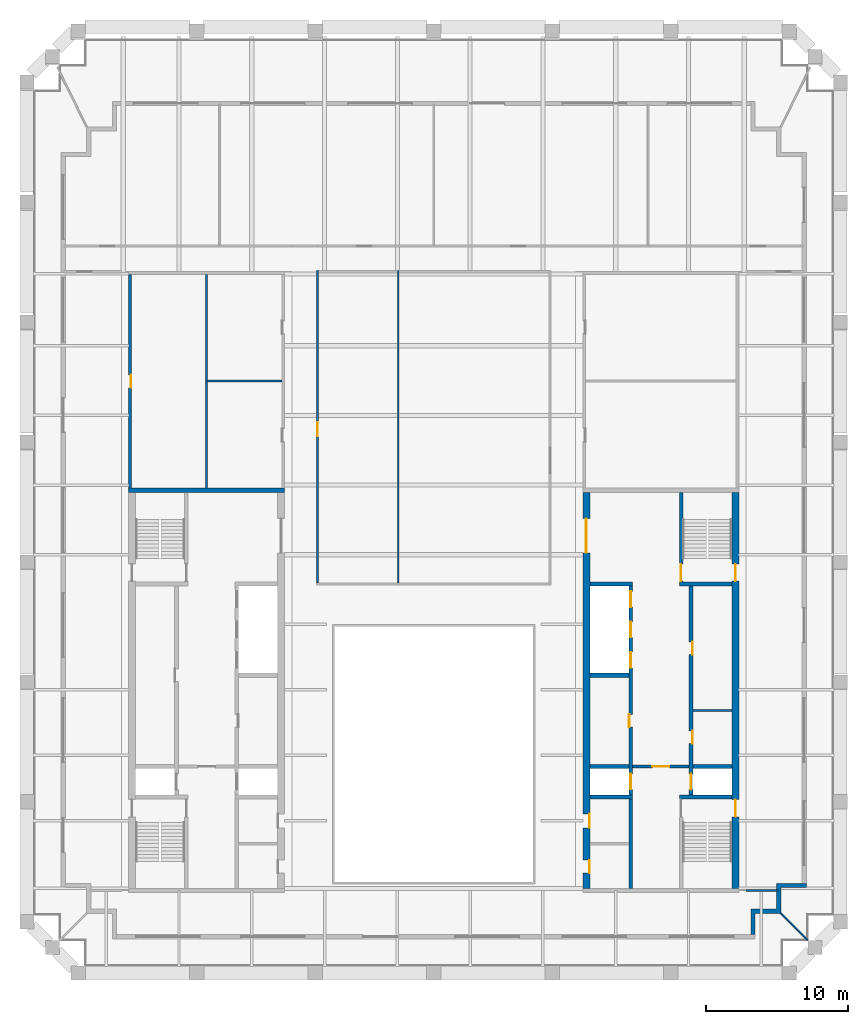
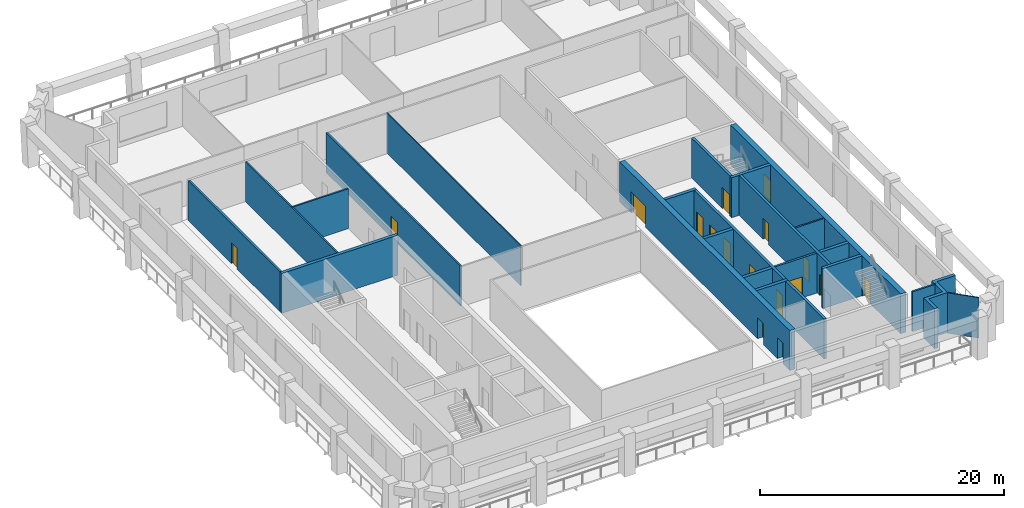
# One storey, part 4 of 7: 23 walls, 17 doors, 17 openings.
"""IFC4 building model written with IfcOpenShell, lengths in metres."""

from ifc_helpers import new_model, si_unit, direction, frame, frame_2d, origin, place, context, subcontext, project, spatial, polyline, rectangle, outline, extrude, material, layer, layer_set, type_object, element, fill, save


model = new_model("IFC4")

# Units and contexts
model_context = context("Model", 3, precision=1e-05, world=origin(), true_north=direction((0.0, 1.0)))
body_context = subcontext(model_context, "Body", "Model", "MODEL_VIEW")
ifc_project = project(units=[si_unit("LENGTHUNIT", "METRE"), si_unit("AREAUNIT", "SQUARE_METRE"), si_unit("VOLUMEUNIT", "CUBIC_METRE"), si_unit("PLANEANGLEUNIT", "RADIAN"), si_unit("MASSUNIT", "GRAM", prefix="KILO")], contexts=[model_context])

# Site, building, storey
site_placement = place(None, origin())
site = spatial("IfcSite", under=ifc_project, at=site_placement, CompositionType="ELEMENT")
building_placement = place(site_placement, origin())
building = spatial("IfcBuilding", under=site, at=building_placement, Name="Ogive Exchange Tower", CompositionType="ELEMENT")
storey_placement = place(building_placement, frame((0.0, 0.0, 330.0)))
storey = spatial("IfcBuildingStorey", under=building, at=storey_placement, Name="L72", CompositionType="ELEMENT", Elevation=330.0)

# Walls
ifc_material_1 = material(Name="Gypsum board partition")
ifc_layer_1 = layer(ifc_material_1, 0.14990234375)
ifc_layer_set_1 = layer_set([ifc_layer_1], Name="Core room partition 150 gypsum")
wall_type_1 = type_object("IfcWallType", Name="Core room partition 150 gypsum", PredefinedType="PARTITIONING", material=ifc_layer_set_1)
wall_1_placement = place(storey_placement, frame((-16.0, 25.75, 0.0), z_axis=(0.0, 0.0, 1.0), x_axis=(0.0, 1.0, 0.0)))
element("IfcWall", 1, at=wall_1_placement, inside=storey, type_object=wall_type_1, Name="W annex N column wall", PredefinedType="PARTITIONING", context=body_context, shape_type="SweptSolid", body=[
    extrude(rectangle(XDim=15.050048828125, YDim=0.14990234375, at=frame_2d((7.52490234375, 0.0))), origin(), (0.0, 0.0, 1.0), 4.0),
])
wall_2_placement = place(storey_placement, frame((-16.0, 33.300048828125, 0.0), z_axis=(0.0, 0.0, 1.0), x_axis=(1.0, 0.0, 0.0)))
element("IfcWall", 2, at=wall_2_placement, inside=storey, type_object=wall_type_1, Name="W annex N cross wall", PredefinedType="PARTITIONING", context=body_context, shape_type="SweptSolid", body=[
    extrude(rectangle(XDim=5.300048828125, YDim=0.14990234375, at=frame_2d((2.64990234375, 0.0))), origin(), (0.0, 0.0, 1.0), 4.0),
])
wall_3_placement = place(storey_placement, frame((18.25, 10.10009765625, 0.0), z_axis=(0.0, 0.0, 1.0), x_axis=(1.0, 0.0, 0.0)))
element("IfcWall", 3, at=wall_3_placement, inside=storey, type_object=wall_type_1, Name="E row A bay partition 1-1", PredefinedType="PARTITIONING", context=body_context, shape_type="SweptSolid", body=[
    extrude(rectangle(XDim=2.75, YDim=0.14990234375, at=frame_2d((1.375, 0.0))), origin(), (0.0, 0.0, 1.0), 4.0),
])

# Wall, opening, door
ifc_material_2 = material(Name="Fire partition EI 60 150")
ifc_layer_2 = layer(ifc_material_2, 0.14990234375)
ifc_layer_set_2 = layer_set([ifc_layer_2], Name="Fire partition EI 60 150")
wall_type_2 = type_object("IfcWallType", Name="Fire partition EI 60 150", PredefinedType="PARTITIONING", material=ifc_layer_set_2)
wall_4_placement = place(storey_placement, frame((-8.199951171875, 41.074951171875, 0.0), z_axis=(0.0, 0.0, 1.0), x_axis=(0.0, -1.0, 0.0)))
wall_4 = element("IfcWall", 4, at=wall_4_placement, inside=storey, type_object=wall_type_2, Name="L72-PWL-008", PredefinedType="PARTITIONING", context=body_context, shape_type="SweptSolid", body=[
    extrude(rectangle(XDim=22.0, YDim=0.14990234375, at=frame_2d((11.0, 0.0))), origin(), (0.0, 0.0, 1.0), 4.0),
])
opening_1_placement = place(wall_4_placement, frame((10.675048828125, 0.0, 0.0)))
opening_1 = element("IfcOpeningElement", 5, at=opening_1_placement, cuts=wall_4, Name="Opening L72-I06", PredefinedType="OPENING", context=body_context, shape_type="SweptSolid", body=[
    extrude(rectangle(XDim=1.0, YDim=2.10009765625, at=frame_2d((0.5, 1.050048828125))), frame((0.0, 0.0849609375, 0.0), z_axis=(0.0, -1.0, 0.0), x_axis=(1.0, 0.0, 0.0)), (0.0, 0.0, 1.0), 0.169921875),
])
ifc_material_3 = material(Name="Fire door FD 30S 1000 x 2100")
door_type_1 = type_object("IfcDoorType", Name="Fire door FD 30S 1000 x 2100", OperationType="NOTDEFINED", PredefinedType="DOOR", material=ifc_material_3)
door_1_placement = place(opening_1_placement, origin())
door_1 = element("IfcDoor", 6, at=door_1_placement, inside=storey, type_object=door_type_1, Name="L72-IDR-006", ObjectType="DT3", OperationType="SINGLE_SWING_RIGHT", OverallHeight=2.10009765625, OverallWidth=1.0, PredefinedType="DOOR", context=body_context, shape_type="SweptSolid", body=[
    extrude(rectangle(XDim=1.0, YDim=2.10009765625, at=frame_2d((0.5, 1.050048828125))), frame((0.0, 0.02490234375, 0.0), z_axis=(0.0, -1.0, 0.0), x_axis=(1.0, 0.0, 0.0)), (0.0, 0.0, 1.0), 0.050048828125),
])
fill(opening_1, door_1)

# Walls
wall_5_placement = place(storey_placement, frame((22.0, -2.60009765625, 0.0), z_axis=(0.0, 0.0, 1.0), x_axis=(1.0, 0.0, 0.0)))
element("IfcWall", 7, at=wall_5_placement, inside=storey, type_object=wall_type_2, Name="L72-PWL-019", PredefinedType="PARTITIONING", context=body_context, shape_type="SweptSolid", body=[
    extrude(rectangle(XDim=2.25, YDim=0.14990234375, at=frame_2d((1.125, 0.0))), origin(), (0.0, 0.0, 1.0), 4.0),
])
ifc_material_4 = material(Name="Precast concrete C40/50", Category="concrete")
ifc_layer_3 = layer(ifc_material_4, 0.300048828125)
ifc_layer_set_3 = layer_set([ifc_layer_3], Name="Limestone-faced wall 300")
wall_type_3 = type_object("IfcWallType", Name="Limestone-faced wall 300", PredefinedType="STANDARD", material=ifc_layer_set_3)
wall_6_placement = place(storey_placement, origin())
element("IfcWall", 8, at=wall_6_placement, inside=storey, type_object=wall_type_3, Name="External corner wall C1", PredefinedType="STANDARD", context=body_context, shape_type="SweptSolid", body=[
    extrude(outline(polyline([(24.14990234375, -3.89990234375), (24.14990234375, -2.10009765625), (26.25, -2.10009765625), (26.25, -2.39990234375), (24.449951171875, -2.39990234375), (24.449951171875, -4.199951171875), (22.64990234375, -4.199951171875), (22.64990234375, -5.699951171875), (22.35009765625, -5.699951171875), (22.35009765625, -3.89990234375), (24.14990234375, -3.89990234375)])), origin(), (0.0, 0.0, 1.0), 4.0),
])
ifc_material_5 = material(Name="Laminated safety glass in steel frame", Category="steel")
ifc_layer_4 = layer(ifc_material_5, 0.10009765625)
ifc_layer_set_4 = layer_set([ifc_layer_4], Name="Loggia end screen 100")
wall_type_4 = type_object("IfcWallType", Name="Loggia end screen 100", PredefinedType="STANDARD", material=ifc_layer_set_4)
wall_7_placement = place(storey_placement, frame((24.449951171875, -4.199951171875, -0.050048828125), z_axis=(0.0, 0.0, 1.0), x_axis=(0.707106781187, -0.707106781187, 0.0)))
element("IfcWall", 9, at=wall_7_placement, inside=storey, type_object=wall_type_4, Name="Loggia end screen C1", PredefinedType="STANDARD", context=body_context, shape_type="SweptSolid", body=[
    extrude(rectangle(XDim=2.667236328125, YDim=0.10009765625, at=frame_2d((1.33349609375, 0.0))), origin(), (0.0, 0.0, 1.0), 4.050048828125),
])
ifc_material_6 = material(Name="Partition 100 gypsum")
ifc_layer_5 = layer(ifc_material_6, 0.10009765625)
ifc_layer_set_5 = layer_set([ifc_layer_5], Name="Partition 100 gypsum")
wall_type_5 = type_object("IfcWallType", Name="Partition 100 gypsum", PredefinedType="PARTITIONING", material=ifc_layer_set_5)
wall_8_placement = place(storey_placement, frame((-2.5, 19.074951171875, 0.0), z_axis=(0.0, 0.0, 1.0), x_axis=(0.0, 1.0, 0.0)))
element("IfcWall", 10, at=wall_8_placement, inside=storey, type_object=wall_type_5, Name="L72-PWL-010", PredefinedType="PARTITIONING", context=body_context, shape_type="SweptSolid", body=[
    extrude(rectangle(XDim=22.0, YDim=0.10009765625, at=frame_2d((11.0, 0.0))), origin(), (0.0, 0.0, 1.0), 4.0),
])

# Wall, opening, door
ifc_material_7 = material(Name="Concrete C70/85", Category="concrete")
ifc_layer_6 = layer(ifc_material_7, 0.199951171875)
ifc_layer_set_6 = layer_set([ifc_layer_6], Name="RC core wall 200 C70/85")
wall_type_6 = type_object("IfcWallType", Name="RC core wall 200 C70/85", PredefinedType="SHEAR", material=ifc_layer_set_6)
wall_9_placement = place(storey_placement, frame((-21.39990234375, 25.75, 0.0), z_axis=(0.0, 0.0, 1.0), x_axis=(0.0, 1.0, 0.0)))
wall_9 = element("IfcWall", 11, at=wall_9_placement, inside=storey, type_object=wall_type_6, Name="W annex N outer wall", PredefinedType="SHEAR", context=body_context, shape_type="SweptSolid", body=[
    extrude(rectangle(XDim=15.050048828125, YDim=0.199951171875, at=frame_2d((7.52490234375, 0.0))), origin(), (0.0, 0.0, 1.0), 4.0),
])
opening_2_placement = place(wall_9_placement, frame((7.074951171875, 0.0, 0.0)))
opening_2 = element("IfcOpeningElement", 12, at=opening_2_placement, cuts=wall_9, Name="Opening L72-C16", PredefinedType="OPENING", context=body_context, shape_type="SweptSolid", body=[
    extrude(rectangle(XDim=0.89990234375, YDim=2.10009765625, at=frame_2d((0.449951171875, 1.050048828125))), frame((0.0, 0.10986328125, 0.0), z_axis=(0.0, -1.0, 0.0), x_axis=(1.0, 0.0, 0.0)), (0.0, 0.0, 1.0), 0.219970703125),
])
ifc_material_8 = material(Name="Steel fire door", Category="steel")
door_type_2 = type_object("IfcDoorType", Name="Riser door FD60 900 x 2100", OperationType="NOTDEFINED", PredefinedType="DOOR", material=ifc_material_8)
door_2_placement = place(opening_2_placement, origin())
door_2 = element("IfcDoor", 13, at=door_2_placement, inside=storey, type_object=door_type_2, Name="Riser door", ObjectType="CD2", OperationType="SINGLE_SWING_LEFT", OverallHeight=2.10009765625, OverallWidth=0.89990234375, PredefinedType="DOOR", context=body_context, shape_type="SweptSolid", body=[
    extrude(rectangle(XDim=0.89990234375, YDim=2.10009765625, at=frame_2d((0.449951171875, 1.050048828125))), frame((0.0, -0.0498046875, 0.0), z_axis=(0.0, -1.0, 0.0), x_axis=(1.0, 0.0, 0.0)), (0.0, 0.0, 1.0), 0.050048828125),
])
fill(opening_2, door_2)

wall_10_placement = place(storey_placement, frame((14.0, 6.142822265625, 0.0), z_axis=(0.0, 0.0, 1.0), x_axis=(1.0, 0.0, 0.0)))
wall_10 = element("IfcWall", 14, at=wall_10_placement, inside=storey, type_object=wall_type_6, Name="E firefighting lobby wall", PredefinedType="SHEAR", context=body_context, shape_type="SweptSolid", body=[
    extrude(rectangle(XDim=4.0, YDim=0.199951171875, at=frame_2d((2.0, 0.0))), origin(), (0.0, 0.0, 1.0), 4.0),
])
opening_3_placement = place(wall_10_placement, frame((1.39990234375, 0.0, 0.0)))
opening_3 = element("IfcOpeningElement", 15, at=opening_3_placement, cuts=wall_10, Name="Opening L72-C27", PredefinedType="OPENING", context=body_context, shape_type="SweptSolid", body=[
    extrude(rectangle(XDim=1.199951171875, YDim=2.10009765625, at=frame_2d((0.60009765625, 1.050048828125))), frame((0.0, 0.10986328125, 0.0), z_axis=(0.0, -1.0, 0.0), x_axis=(1.0, 0.0, 0.0)), (0.0, 0.0, 1.0), 0.219970703125),
])
door_type_3 = type_object("IfcDoorType", Name="Firefighting lobby door FD60 1200 x 2100", OperationType="NOTDEFINED", PredefinedType="DOOR", material=ifc_material_8)
door_3_placement = place(opening_3_placement, frame((1.199951171875, 0.0, 0.0), z_axis=(0.0, 0.0, 1.0), x_axis=(-1.0, 0.0, 0.0)))
door_3 = element("IfcDoor", 16, at=door_3_placement, inside=storey, type_object=door_type_3, Name="Firefighting lobby door", ObjectType="CD3", OperationType="SINGLE_SWING_LEFT", OverallHeight=2.10009765625, OverallWidth=1.199951171875, PredefinedType="DOOR", context=body_context, shape_type="SweptSolid", body=[
    extrude(rectangle(XDim=1.199951171875, YDim=2.10009765625, at=frame_2d((0.60009765625, 1.050048828125))), frame((0.0, 0.02490234375, 0.0), z_axis=(0.0, -1.0, 0.0), x_axis=(1.0, 0.0, 0.0)), (0.0, 0.0, 1.0), 0.050048828125),
])
fill(opening_3, door_3)

ifc_layer_7 = layer(ifc_material_7, 0.25)
ifc_layer_set_7 = layer_set([ifc_layer_7], Name="RC core wall 250 C70/85")
wall_type_7 = type_object("IfcWallType", Name="RC core wall 250 C70/85", PredefinedType="SHEAR", material=ifc_layer_set_7)
wall_11_placement = place(storey_placement, frame((17.425048828125, 19.14990234375, 0.0), z_axis=(0.0, 0.0, 1.0), x_axis=(0.0, 1.0, 0.0)))
wall_11 = element("IfcWall", 17, at=wall_11_placement, inside=storey, type_object=wall_type_7, Name="E stair N front wall", PredefinedType="SHEAR", context=body_context, shape_type="SweptSolid", body=[
    extrude(rectangle(XDim=6.300048828125, YDim=0.25, at=frame_2d((3.14990234375, 0.0))), origin(), (0.0, 0.0, 1.0), 4.0),
])
opening_4_placement = place(wall_11_placement, frame((0.050048828125, 0.0, 0.0)))
opening_4 = element("IfcOpeningElement", 18, at=opening_4_placement, cuts=wall_11, Name="Opening L72-C31", PredefinedType="OPENING", context=body_context, shape_type="SweptSolid", body=[
    extrude(rectangle(XDim=1.199951171875, YDim=2.10009765625, at=frame_2d((0.60009765625, 1.050048828125))), frame((0.0, 0.135009765625, 0.0), z_axis=(0.0, -1.0, 0.0), x_axis=(1.0, 0.0, 0.0)), (0.0, 0.0, 1.0), 0.27001953125),
])
door_type_4 = type_object("IfcDoorType", Name="Stair door FD90 1200 x 2100", OperationType="NOTDEFINED", PredefinedType="DOOR", material=ifc_material_8)
door_4_placement = place(opening_4_placement, frame((1.199951171875, 0.0, 0.0), z_axis=(0.0, 0.0, 1.0), x_axis=(-1.0, 0.0, 0.0)))
door_4 = element("IfcDoor", 19, at=door_4_placement, inside=storey, type_object=door_type_4, Name="Stair door", ObjectType="CD5", OperationType="SINGLE_SWING_LEFT", OverallHeight=2.10009765625, OverallWidth=1.199951171875, PredefinedType="DOOR", context=body_context, shape_type="SweptSolid", body=[
    extrude(rectangle(XDim=1.199951171875, YDim=2.10009765625, at=frame_2d((0.60009765625, 1.050048828125))), frame((0.0, 0.02490234375, 0.0), z_axis=(0.0, -1.0, 0.0), x_axis=(1.0, 0.0, 0.0)), (0.0, 0.0, 1.0), 0.050048828125),
])
fill(opening_4, door_4)

# Wall, openings, doors
wall_12_placement = place(storey_placement, frame((18.125, 4.14990234375, 0.0), z_axis=(0.0, 0.0, 1.0), x_axis=(0.0, 1.0, 0.0)))
wall_12 = element("IfcWall", 20, at=wall_12_placement, inside=storey, type_object=wall_type_7, Name="E row A front wall", PredefinedType="SHEAR", context=body_context, shape_type="SweptSolid", body=[
    extrude(rectangle(XDim=14.7001953125, YDim=0.25, at=frame_2d((7.35009765625, 0.0))), origin(), (0.0, 0.0, 1.0), 4.0),
])
opening_5_placement = place(wall_12_placement, frame((3.596435546875, 0.0, 0.0)))
opening_5 = element("IfcOpeningElement", 21, at=opening_5_placement, cuts=wall_12, Name="Opening L72-C19", PredefinedType="OPENING", context=body_context, shape_type="SweptSolid", body=[
    extrude(rectangle(XDim=0.89990234375, YDim=2.10009765625, at=frame_2d((0.449951171875, 1.050048828125))), frame((0.0, 0.135009765625, 0.0), z_axis=(0.0, -1.0, 0.0), x_axis=(1.0, 0.0, 0.0)), (0.0, 0.0, 1.0), 0.27001953125),
])
opening_6_placement = place(wall_12_placement, frame((9.875, 0.0, 0.0)))
opening_6 = element("IfcOpeningElement", 22, at=opening_6_placement, cuts=wall_12, Name="Opening L72-C20", PredefinedType="OPENING", context=body_context, shape_type="SweptSolid", body=[
    extrude(rectangle(XDim=0.89990234375, YDim=2.10009765625, at=frame_2d((0.449951171875, 1.050048828125))), frame((0.0, 0.135009765625, 0.0), z_axis=(0.0, -1.0, 0.0), x_axis=(1.0, 0.0, 0.0)), (0.0, 0.0, 1.0), 0.27001953125),
])
opening_7_placement = place(wall_12_placement, frame((0.371337890625, 0.0, 0.0)))
opening_7 = element("IfcOpeningElement", 23, at=opening_7_placement, cuts=wall_12, Name="Opening L72-C21", PredefinedType="OPENING", context=body_context, shape_type="SweptSolid", body=[
    extrude(rectangle(XDim=1.10009765625, YDim=2.10009765625, at=frame_2d((0.550048828125, 1.050048828125))), frame((0.0, 0.135009765625, 0.0), z_axis=(0.0, -1.0, 0.0), x_axis=(1.0, 0.0, 0.0)), (0.0, 0.0, 1.0), 0.27001953125),
])
ifc_material_9 = material(Name="Timber fire door", Category="wood")
door_type_5 = type_object("IfcDoorType", Name="Core room door FD30S 900 x 2100", OperationType="NOTDEFINED", PredefinedType="DOOR", material=ifc_material_9)
door_5_placement = place(opening_6_placement, frame((0.89990234375, -0.2001953125, 0.0), z_axis=(0.0, 0.0, 1.0), x_axis=(-1.0, 0.0, 0.0)))
door_5 = element("IfcDoor", 24, at=door_5_placement, inside=storey, type_object=door_type_5, Name="Core room door", ObjectType="CD6", OperationType="SINGLE_SWING_RIGHT", OverallHeight=2.10009765625, OverallWidth=0.89990234375, PredefinedType="DOOR", context=body_context, shape_type="SweptSolid", body=[
    extrude(rectangle(XDim=0.89990234375, YDim=2.10009765625, at=frame_2d((0.449951171875, 1.050048828125))), frame((0.0, -0.0751953125, 0.0), z_axis=(0.0, -1.0, 0.0), x_axis=(1.0, 0.0, 0.0)), (0.0, 0.0, 1.0), 0.050048828125),
])
fill(opening_6, door_5)
ifc_material_10 = material(Name="Stainless steel", Category="steel")
door_type_6 = type_object("IfcDoorType", Name="Lift landing door FD90 1100 x 2100", OperationType="SLIDING_TO_LEFT", PredefinedType="DOOR", material=ifc_material_10)
door_6_placement = place(opening_7_placement, origin())
door_6 = element("IfcDoor", 25, at=door_6_placement, inside=storey, type_object=door_type_6, Name="Lift landing door FF2", ObjectType="LD", OperationType="SLIDING_TO_LEFT", OverallHeight=2.10009765625, OverallWidth=1.10009765625, PredefinedType="DOOR", context=body_context, shape_type="SweptSolid", body=[
    extrude(rectangle(XDim=1.10009765625, YDim=2.10009765625, at=frame_2d((0.550048828125, 1.050048828125))), frame((0.0, 0.02490234375, 0.0), z_axis=(0.0, -1.0, 0.0), x_axis=(1.0, 0.0, 0.0)), (0.0, 0.0, 1.0), 0.050048828125),
])
fill(opening_7, door_6)
door_7_placement = place(opening_5_placement, frame((0.89990234375, -0.2001953125, 0.0), z_axis=(0.0, 0.0, 1.0), x_axis=(-1.0, 0.0, 0.0)))
door_7 = element("IfcDoor", 26, at=door_7_placement, inside=storey, type_object=door_type_2, Name="Riser door", ObjectType="CD2", OperationType="SINGLE_SWING_LEFT", OverallHeight=2.10009765625, OverallWidth=0.89990234375, PredefinedType="DOOR", context=body_context, shape_type="SweptSolid", body=[
    extrude(rectangle(XDim=0.89990234375, YDim=2.10009765625, at=frame_2d((0.449951171875, 1.050048828125))), frame((0.0, -0.0751953125, 0.0), z_axis=(0.0, -1.0, 0.0), x_axis=(1.0, 0.0, 0.0)), (0.0, 0.0, 1.0), 0.050048828125),
])
fill(opening_5, door_7)

wall_13_placement = place(storey_placement, frame((13.875, -2.449951171875, 0.0), z_axis=(0.0, 0.0, 1.0), x_axis=(0.0, 1.0, 0.0)))
wall_13 = element("IfcWall", 27, at=wall_13_placement, inside=storey, type_object=wall_type_7, Name="E row B front wall", PredefinedType="SHEAR", context=body_context, shape_type="SweptSolid", body=[
    extrude(rectangle(XDim=21.300048828125, YDim=0.25, at=frame_2d((10.64990234375, 0.0))), origin(), (0.0, 0.0, 1.0), 4.0),
])
opening_8_placement = place(wall_13_placement, frame((11.357177734375, 0.0, 0.0)))
opening_8 = element("IfcOpeningElement", 28, at=opening_8_placement, cuts=wall_13, Name="Opening L72-C22", PredefinedType="OPENING", context=body_context, shape_type="SweptSolid", body=[
    extrude(rectangle(XDim=0.89990234375, YDim=2.10009765625, at=frame_2d((0.449951171875, 1.050048828125))), frame((0.0, 0.135009765625, 0.0), z_axis=(0.0, -1.0, 0.0), x_axis=(1.0, 0.0, 0.0)), (0.0, 0.0, 1.0), 0.27001953125),
])
opening_9_placement = place(wall_13_placement, frame((6.971435546875, 0.0, 0.0)))
opening_9 = element("IfcOpeningElement", 29, at=opening_9_placement, cuts=wall_13, Name="Opening L72-C23", PredefinedType="OPENING", context=body_context, shape_type="SweptSolid", body=[
    extrude(rectangle(XDim=1.10009765625, YDim=2.10009765625, at=frame_2d((0.550048828125, 1.050048828125))), frame((0.0, 0.135009765625, 0.0), z_axis=(0.0, -1.0, 0.0), x_axis=(1.0, 0.0, 0.0)), (0.0, 0.0, 1.0), 0.27001953125),
])
opening_10_placement = place(wall_13_placement, frame((15.54296875, 0.0, 0.0)))
opening_10 = element("IfcOpeningElement", 30, at=opening_10_placement, cuts=wall_13, Name="Opening L72-C24", PredefinedType="OPENING", context=body_context, shape_type="SweptSolid", body=[
    extrude(rectangle(XDim=1.10009765625, YDim=2.10009765625, at=frame_2d((0.550048828125, 1.050048828125))), frame((0.0, 0.135009765625, 0.0), z_axis=(0.0, -1.0, 0.0), x_axis=(1.0, 0.0, 0.0)), (0.0, 0.0, 1.0), 0.27001953125),
])
opening_11_placement = place(wall_13_placement, frame((17.685791015625, 0.0, 0.0)))
opening_11 = element("IfcOpeningElement", 31, at=opening_11_placement, cuts=wall_13, Name="Opening L72-C25", PredefinedType="OPENING", context=body_context, shape_type="SweptSolid", body=[
    extrude(rectangle(XDim=1.10009765625, YDim=2.10009765625, at=frame_2d((0.550048828125, 1.050048828125))), frame((0.0, 0.135009765625, 0.0), z_axis=(0.0, -1.0, 0.0), x_axis=(1.0, 0.0, 0.0)), (0.0, 0.0, 1.0), 0.27001953125),
])
opening_12_placement = place(wall_13_placement, frame((19.82861328125, 0.0, 0.0)))
opening_12 = element("IfcOpeningElement", 32, at=opening_12_placement, cuts=wall_13, Name="Opening L72-C26", PredefinedType="OPENING", context=body_context, shape_type="SweptSolid", body=[
    extrude(rectangle(XDim=1.10009765625, YDim=2.10009765625, at=frame_2d((0.550048828125, 1.050048828125))), frame((0.0, 0.135009765625, 0.0), z_axis=(0.0, -1.0, 0.0), x_axis=(1.0, 0.0, 0.0)), (0.0, 0.0, 1.0), 0.27001953125),
])
door_8_placement = place(opening_8_placement, origin())
door_8 = element("IfcDoor", 33, at=door_8_placement, inside=storey, type_object=door_type_5, Name="Core room door", ObjectType="CD6", OperationType="SINGLE_SWING_LEFT", OverallHeight=2.10009765625, OverallWidth=0.89990234375, PredefinedType="DOOR", context=body_context, shape_type="SweptSolid", body=[
    extrude(rectangle(XDim=0.89990234375, YDim=2.10009765625, at=frame_2d((0.449951171875, 1.050048828125))), frame((0.0, 0.125, 0.0), z_axis=(0.0, -1.0, 0.0), x_axis=(1.0, 0.0, 0.0)), (0.0, 0.0, 1.0), 0.050048828125),
])
fill(opening_8, door_8)
door_9_placement = place(opening_9_placement, origin())
door_9 = element("IfcDoor", 34, at=door_9_placement, inside=storey, type_object=door_type_6, Name="Lift landing door SV2", ObjectType="LD", OperationType="SLIDING_TO_LEFT", OverallHeight=2.10009765625, OverallWidth=1.10009765625, PredefinedType="DOOR", context=body_context, shape_type="SweptSolid", body=[
    extrude(rectangle(XDim=1.10009765625, YDim=2.10009765625, at=frame_2d((0.550048828125, 1.050048828125))), frame((0.0, 0.02490234375, 0.0), z_axis=(0.0, -1.0, 0.0), x_axis=(1.0, 0.0, 0.0)), (0.0, 0.0, 1.0), 0.050048828125),
])
fill(opening_9, door_9)
door_10_placement = place(opening_10_placement, origin())
door_10 = element("IfcDoor", 35, at=door_10_placement, inside=storey, type_object=door_type_6, Name="Lift landing door E-H1", ObjectType="LD", OperationType="SLIDING_TO_LEFT", OverallHeight=2.10009765625, OverallWidth=1.10009765625, PredefinedType="DOOR", context=body_context, shape_type="SweptSolid", body=[
    extrude(rectangle(XDim=1.10009765625, YDim=2.10009765625, at=frame_2d((0.550048828125, 1.050048828125))), frame((0.0, 0.02490234375, 0.0), z_axis=(0.0, -1.0, 0.0), x_axis=(1.0, 0.0, 0.0)), (0.0, 0.0, 1.0), 0.050048828125),
])
fill(opening_10, door_10)
door_11_placement = place(opening_11_placement, origin())
door_11 = element("IfcDoor", 36, at=door_11_placement, inside=storey, type_object=door_type_6, Name="Lift landing door E-H2", ObjectType="LD", OperationType="SLIDING_TO_LEFT", OverallHeight=2.10009765625, OverallWidth=1.10009765625, PredefinedType="DOOR", context=body_context, shape_type="SweptSolid", body=[
    extrude(rectangle(XDim=1.10009765625, YDim=2.10009765625, at=frame_2d((0.550048828125, 1.050048828125))), frame((0.0, 0.02490234375, 0.0), z_axis=(0.0, -1.0, 0.0), x_axis=(1.0, 0.0, 0.0)), (0.0, 0.0, 1.0), 0.050048828125),
])
fill(opening_11, door_11)
door_12_placement = place(opening_12_placement, origin())
door_12 = element("IfcDoor", 37, at=door_12_placement, inside=storey, type_object=door_type_6, Name="Lift landing door E-H3", ObjectType="LD", OperationType="SLIDING_TO_LEFT", OverallHeight=2.10009765625, OverallWidth=1.10009765625, PredefinedType="DOOR", context=body_context, shape_type="SweptSolid", body=[
    extrude(rectangle(XDim=1.10009765625, YDim=2.10009765625, at=frame_2d((0.550048828125, 1.050048828125))), frame((0.0, 0.02490234375, 0.0), z_axis=(0.0, -1.0, 0.0), x_axis=(1.0, 0.0, 0.0)), (0.0, 0.0, 1.0), 0.050048828125),
])
fill(opening_12, door_12)

# Walls
ifc_layer_8 = layer(ifc_material_7, 0.300048828125)
ifc_layer_set_8 = layer_set([ifc_layer_8], Name="RC core wall 300 C70/85")
wall_type_8 = type_object("IfcWallType", Name="RC core wall 300 C70/85", PredefinedType="SHEAR", material=ifc_layer_set_8)
wall_14_placement = place(storey_placement, frame((-21.5, 25.60009765625, 0.0), z_axis=(0.0, 0.0, 1.0), x_axis=(1.0, 0.0, 0.0)))
element("IfcWall", 38, at=wall_14_placement, inside=storey, type_object=wall_type_8, Name="W north end wall", PredefinedType="SHEAR", context=body_context, shape_type="SweptSolid", body=[
    extrude(rectangle(XDim=11.0, YDim=0.300048828125, at=frame_2d((5.5, 0.0))), origin(), (0.0, 0.0, 1.0), 4.0),
])
for number, where, z_axis, x_axis, name in (
    (39, (17.300048828125, 4.0, 0.0), (0.0, 0.0, 1.0), (1.0, 0.0, 0.0), "E stair S north wall"),
    (40, (17.300048828125, 19.0, 0.0), (0.0, 0.0, 1.0), (1.0, 0.0, 0.0), "E stair N south wall"),
):
    element("IfcWall", number, at=place(storey_placement, frame(where, z_axis=z_axis, x_axis=x_axis)), inside=storey, type_object=wall_type_8, Name=name, PredefinedType="SHEAR", context=body_context, shape_type="SweptSolid", body=[
        extrude(rectangle(XDim=3.699951171875, YDim=0.300048828125, at=frame_2d((1.85009765625, 0.0))), origin(), (0.0, 0.0, 1.0), 4.0),
    ])
wall_15_placement = place(storey_placement, frame((18.25, 6.142822265625, 0.0), z_axis=(0.0, 0.0, 1.0), x_axis=(1.0, 0.0, 0.0)))
element("IfcWall", 41, at=wall_15_placement, inside=storey, type_object=wall_type_8, Name="E row A divider 1", PredefinedType="SHEAR", context=body_context, shape_type="SweptSolid", body=[
    extrude(rectangle(XDim=2.75, YDim=0.300048828125, at=frame_2d((1.375, 0.0))), origin(), (0.0, 0.0, 1.0), 4.0),
])
wall_16_placement = place(storey_placement, frame((11.0, 4.0, 0.0), z_axis=(0.0, 0.0, 1.0), x_axis=(1.0, 0.0, 0.0)))
element("IfcWall", 42, at=wall_16_placement, inside=storey, type_object=wall_type_8, Name="E row B divider 0", PredefinedType="SHEAR", context=body_context, shape_type="SweptSolid", body=[
    extrude(rectangle(XDim=3.0, YDim=0.300048828125, at=frame_2d((1.5, 0.0))), origin(), (0.0, 0.0, 1.0), 4.0),
])
for number, where, z_axis, x_axis, name in (
    (43, (11.0, 6.142822265625, 0.0), (0.0, 0.0, 1.0), (1.0, 0.0, 0.0), "E row B divider 1"),
    (44, (11.0, 12.5712890625, 0.0), (0.0, 0.0, 1.0), (1.0, 0.0, 0.0), "E row B divider 4"),
):
    element("IfcWall", number, at=place(storey_placement, frame(where, z_axis=z_axis, x_axis=x_axis)), inside=storey, type_object=wall_type_8, Name=name, PredefinedType="SHEAR", context=body_context, shape_type="SweptSolid", body=[
        extrude(rectangle(XDim=2.75, YDim=0.300048828125, at=frame_2d((1.375, 0.0))), origin(), (0.0, 0.0, 1.0), 4.0),
    ])
wall_17_placement = place(storey_placement, frame((11.0, 19.0, 0.0), z_axis=(0.0, 0.0, 1.0), x_axis=(1.0, 0.0, 0.0)))
element("IfcWall", 45, at=wall_17_placement, inside=storey, type_object=wall_type_8, Name="E row B divider 7", PredefinedType="SHEAR", context=body_context, shape_type="SweptSolid", body=[
    extrude(rectangle(XDim=3.0, YDim=0.300048828125, at=frame_2d((1.5, 0.0))), origin(), (0.0, 0.0, 1.0), 4.0),
])

# Wall, openings, doors
ifc_layer_9 = layer(ifc_material_7, 0.5)
ifc_layer_set_9 = layer_set([ifc_layer_9], Name="RC core wall 500 C70/85")
wall_type_9 = type_object("IfcWallType", Name="RC core wall 500 C70/85", PredefinedType="SHEAR", material=ifc_layer_set_9)
wall_18_placement = place(storey_placement, frame((21.25, -2.449951171875, 0.0), z_axis=(0.0, 0.0, 1.0), x_axis=(0.0, 1.0, 0.0)))
wall_18 = element("IfcWall", 46, at=wall_18_placement, inside=storey, type_object=wall_type_9, Name="E outer wall", PredefinedType="SHEAR", context=body_context, shape_type="SweptSolid", body=[
    extrude(rectangle(XDim=27.89990234375, YDim=0.5, at=frame_2d((13.949951171875, 0.0))), origin(), (0.0, 0.0, 1.0), 4.0),
])
opening_13_placement = place(wall_18_placement, frame((5.050048828125, 0.0, 0.0)))
opening_13 = element("IfcOpeningElement", 47, at=opening_13_placement, cuts=wall_18, Name="Opening L72-C30", PredefinedType="OPENING", context=body_context, shape_type="SweptSolid", body=[
    extrude(rectangle(XDim=1.199951171875, YDim=2.10009765625, at=frame_2d((0.60009765625, 1.050048828125))), frame((0.0, 0.260009765625, 0.0), z_axis=(0.0, -1.0, 0.0), x_axis=(1.0, 0.0, 0.0)), (0.0, 0.0, 1.0), 0.52001953125),
])
opening_14_placement = place(wall_18_placement, frame((21.64990234375, 0.0, 0.0)))
opening_14 = element("IfcOpeningElement", 48, at=opening_14_placement, cuts=wall_18, Name="Opening L72-C32", PredefinedType="OPENING", context=body_context, shape_type="SweptSolid", body=[
    extrude(rectangle(XDim=1.199951171875, YDim=2.10009765625, at=frame_2d((0.60009765625, 1.050048828125))), frame((0.0, 0.260009765625, 0.0), z_axis=(0.0, -1.0, 0.0), x_axis=(1.0, 0.0, 0.0)), (0.0, 0.0, 1.0), 0.52001953125),
])
door_13_placement = place(opening_13_placement, frame((1.199951171875, 0.0, 0.0), z_axis=(0.0, 0.0, 1.0), x_axis=(-1.0, 0.0, 0.0)))
door_13 = element("IfcDoor", 49, at=door_13_placement, inside=storey, type_object=door_type_4, Name="Stair door", ObjectType="CD5", OperationType="SINGLE_SWING_LEFT", OverallHeight=2.10009765625, OverallWidth=1.199951171875, PredefinedType="DOOR", context=body_context, shape_type="SweptSolid", body=[
    extrude(rectangle(XDim=1.199951171875, YDim=2.10009765625, at=frame_2d((0.60009765625, 1.050048828125))), frame((0.0, 0.02490234375, 0.0), z_axis=(0.0, -1.0, 0.0), x_axis=(1.0, 0.0, 0.0)), (0.0, 0.0, 1.0), 0.050048828125),
])
fill(opening_13, door_13)
door_14_placement = place(opening_14_placement, frame((1.199951171875, 0.0, 0.0), z_axis=(0.0, 0.0, 1.0), x_axis=(-1.0, 0.0, 0.0)))
door_14 = element("IfcDoor", 50, at=door_14_placement, inside=storey, type_object=door_type_4, Name="Stair door", ObjectType="CD5", OperationType="SINGLE_SWING_LEFT", OverallHeight=2.10009765625, OverallWidth=1.199951171875, PredefinedType="DOOR", context=body_context, shape_type="SweptSolid", body=[
    extrude(rectangle(XDim=1.199951171875, YDim=2.10009765625, at=frame_2d((0.60009765625, 1.050048828125))), frame((0.0, 0.02490234375, 0.0), z_axis=(0.0, -1.0, 0.0), x_axis=(1.0, 0.0, 0.0)), (0.0, 0.0, 1.0), 0.050048828125),
])
fill(opening_14, door_14)

wall_19_placement = place(storey_placement, frame((10.75, -2.449951171875, 0.0), z_axis=(0.0, 0.0, 1.0), x_axis=(0.0, 1.0, 0.0)))
wall_19 = element("IfcWall", 51, at=wall_19_placement, inside=storey, type_object=wall_type_9, Name="E inner wall", PredefinedType="SHEAR", context=body_context, shape_type="SweptSolid", body=[
    extrude(rectangle(XDim=27.89990234375, YDim=0.5, at=frame_2d((13.949951171875, 0.0))), origin(), (0.0, 0.0, 1.0), 4.0),
])
opening_15_placement = place(wall_19_placement, frame((23.64990234375, 0.0, 0.0)))
opening_15 = element("IfcOpeningElement", 52, at=opening_15_placement, cuts=wall_19, Name="Opening L72-C28", PredefinedType="OPENING", context=body_context, shape_type="SweptSolid", body=[
    extrude(rectangle(XDim=2.39990234375, YDim=2.10009765625, at=frame_2d((1.199951171875, 1.050048828125))), frame((0.0, 0.260009765625, 0.0), z_axis=(0.0, -1.0, 0.0), x_axis=(1.0, 0.0, 0.0)), (0.0, 0.0, 1.0), 0.52001953125),
])
opening_16_placement = place(wall_19_placement, frame((1.08740234375, 0.0, 0.0)))
opening_16 = element("IfcOpeningElement", 53, at=opening_16_placement, cuts=wall_19, Name="Opening L72-C33", PredefinedType="OPENING", context=body_context, shape_type="SweptSolid", body=[
    extrude(rectangle(XDim=0.89990234375, YDim=2.10009765625, at=frame_2d((0.449951171875, 1.050048828125))), frame((0.0, 0.260009765625, 0.0), z_axis=(0.0, -1.0, 0.0), x_axis=(1.0, 0.0, 0.0)), (0.0, 0.0, 1.0), 0.52001953125),
])
opening_17_placement = place(wall_19_placement, frame((4.262451171875, 0.0, 0.0)))
opening_17 = element("IfcOpeningElement", 54, at=opening_17_placement, cuts=wall_19, Name="Opening L72-C34", PredefinedType="OPENING", context=body_context, shape_type="SweptSolid", body=[
    extrude(rectangle(XDim=1.0, YDim=2.10009765625, at=frame_2d((0.5, 1.050048828125))), frame((0.0, 0.260009765625, 0.0), z_axis=(0.0, -1.0, 0.0), x_axis=(1.0, 0.0, 0.0)), (0.0, 0.0, 1.0), 0.52001953125),
])
door_type_7 = type_object("IfcDoorType", Name="Accessible WC door FD30S 1000 x 2100", OperationType="NOTDEFINED", PredefinedType="DOOR", material=ifc_material_9)
door_15_placement = place(opening_17_placement, origin())
door_15 = element("IfcDoor", 55, at=door_15_placement, inside=storey, type_object=door_type_7, Name="Accessible WC door", ObjectType="CD7", OperationType="SINGLE_SWING_LEFT", OverallHeight=2.10009765625, OverallWidth=1.0, PredefinedType="DOOR", context=body_context, shape_type="SweptSolid", body=[
    extrude(rectangle(XDim=1.0, YDim=2.10009765625, at=frame_2d((0.5, 1.050048828125))), frame((0.0, -0.2001953125, 0.0), z_axis=(0.0, -1.0, 0.0), x_axis=(1.0, 0.0, 0.0)), (0.0, 0.0, 1.0), 0.050048828125),
])
fill(opening_17, door_15)
door_16_placement = place(opening_16_placement, origin())
door_16 = element("IfcDoor", 56, at=door_16_placement, inside=storey, type_object=door_type_5, Name="Core room door", ObjectType="CD6", OperationType="SINGLE_SWING_RIGHT", OverallHeight=2.10009765625, OverallWidth=0.89990234375, PredefinedType="DOOR", context=body_context, shape_type="SweptSolid", body=[
    extrude(rectangle(XDim=0.89990234375, YDim=2.10009765625, at=frame_2d((0.449951171875, 1.050048828125))), frame((0.0, -0.2001953125, 0.0), z_axis=(0.0, -1.0, 0.0), x_axis=(1.0, 0.0, 0.0)), (0.0, 0.0, 1.0), 0.050048828125),
])
fill(opening_16, door_16)
ifc_material_11 = material(Name="Glazed steel fire door", Category="steel")
door_type_8 = type_object("IfcDoorType", Name="Lift lobby double door FD60 2400 x 2100", OperationType="DOUBLE_DOOR_SINGLE_SWING", PredefinedType="DOOR", material=ifc_material_11)
door_17_placement = place(opening_15_placement, origin())
door_17 = element("IfcDoor", 57, at=door_17_placement, inside=storey, type_object=door_type_8, Name="Lift lobby double door", ObjectType="CD4", OperationType="DOUBLE_DOOR_SINGLE_SWING", OverallHeight=2.10009765625, OverallWidth=2.39990234375, PredefinedType="DOOR", context=body_context, shape_type="SweptSolid", body=[
    extrude(rectangle(XDim=2.39990234375, YDim=2.10009765625, at=frame_2d((1.199951171875, 1.050048828125))), frame((0.0, 0.02490234375, 0.0), z_axis=(0.0, -1.0, 0.0), x_axis=(1.0, 0.0, 0.0)), (0.0, 0.0, 1.0), 0.050048828125),
])
fill(opening_15, door_17)

save(model, "model.ifc")
